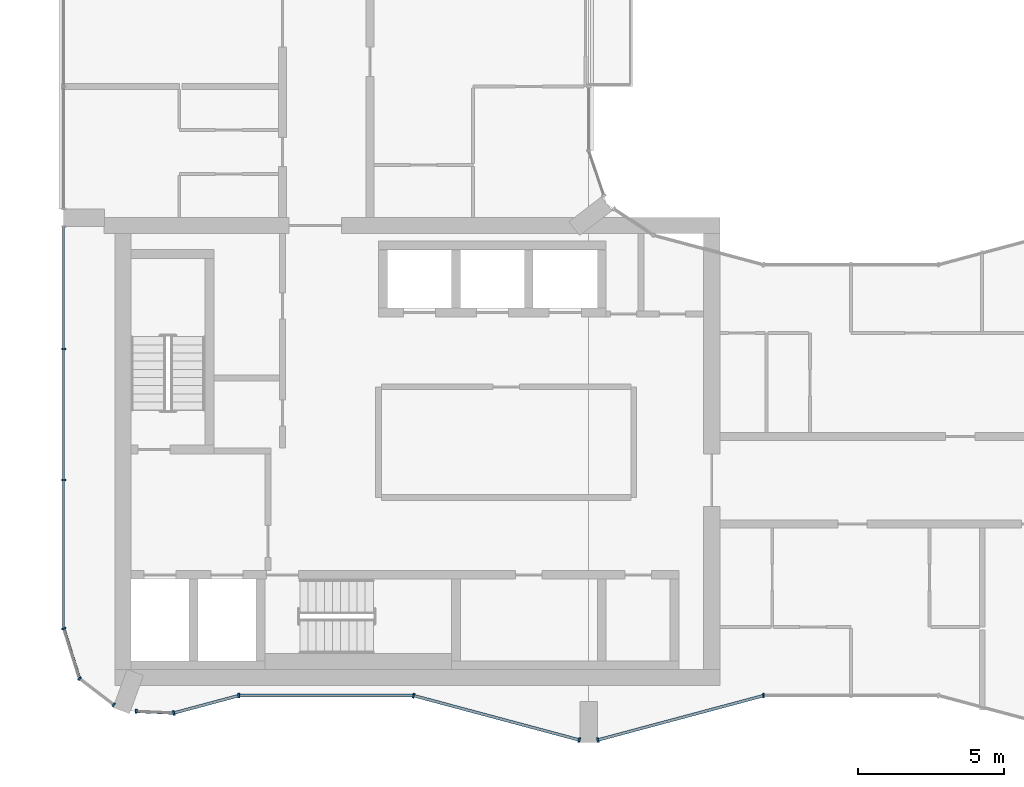
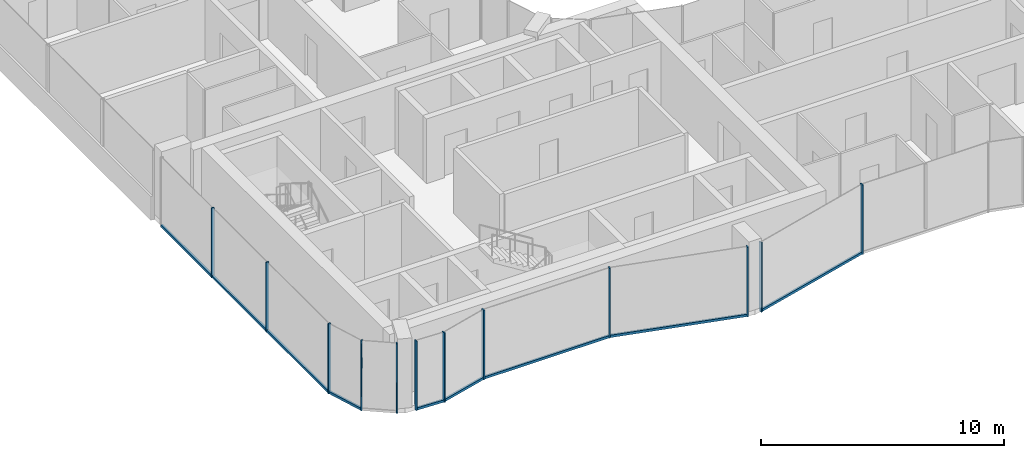
# One storey, part 2 of 15: 19 members, 9 elements without a shape of their own.
"""IFC4 building model written with IfcOpenShell, lengths in metres."""

from ifc_helpers import new_model, si_unit, direction, frame, origin, origin_2d, place, context, subcontext, project, spatial, rectangle, extrude, material, layer, layer_set, material_profile, profile_set, type_object, element, aggregate, save


model = new_model("IFC4")

# Units and contexts
model_context = context("Model", 3, precision=1e-05, world=origin(), true_north=direction((0.0, 1.0)))
body_context = subcontext(model_context, "Body", "Model", "MODEL_VIEW")
ifc_project = project(units=[si_unit("LENGTHUNIT", "METRE"), si_unit("AREAUNIT", "SQUARE_METRE"), si_unit("VOLUMEUNIT", "CUBIC_METRE"), si_unit("PLANEANGLEUNIT", "RADIAN"), si_unit("MASSUNIT", "GRAM", prefix="KILO")], contexts=[model_context])

# Site, building, storey
site_placement = place(None, origin())
site = spatial("IfcSite", under=ifc_project, at=site_placement, CompositionType="ELEMENT")
building_placement = place(site_placement, origin())
building = spatial("IfcBuilding", under=site, at=building_placement, Name="Plateau Cross Towers", CompositionType="ELEMENT")
storey_placement = place(building_placement, frame((0.0, 0.0, 208.39990234375)))
storey = spatial("IfcBuildingStorey", under=building, at=storey_placement, Name="L54", CompositionType="ELEMENT", Elevation=208.39990234375)

# Curtain wall, members
ifc_material_1 = material(Name="Dark low-iron glass", Category="glass")
ifc_layer_1 = layer(ifc_material_1, 0.239990234375)
ifc_layer_set_1 = layer_set([ifc_layer_1], Name="Dark low-iron glass")
curtain_wall_type_1 = type_object("IfcCurtainWallType", Name="Curtain wall flush unitised CW-B", PredefinedType="NOTDEFINED", material=ifc_layer_set_1)
curtain_wall_1_placement = place(storey_placement, origin())
curtain_wall_1 = element("IfcCurtainWall", 1, at=curtain_wall_1_placement, inside=storey, type_object=curtain_wall_type_1, Name="ENV/A/L54/A0_177", PredefinedType="NOTDEFINED")
ifc_material_2 = material(Name="Black anodised aluminium", Category="aluminium")
ifc_material_profile_1 = material_profile(ifc_material_2, rectangle(XDim=0.06005859375, YDim=0.139892578125, at=origin_2d()), Name="MULLION 60x140")
ifc_profile_set_1 = profile_set([ifc_material_profile_1], Name="Black anodised aluminium")
member_type_1 = type_object("IfcMemberType", Name="Mullion 60x140 flush unitised", PredefinedType="MULLION", material=ifc_profile_set_1)
member_1_placement = place(storey_placement, frame((0.0, 13.5, -0.25), z_axis=(0.0, 0.0, 1.0), x_axis=(0.0, -1.0, 0.0)))
member_1 = element("IfcMember", 2, at=member_1_placement, type_object=member_type_1, Name="CW-B mullion 2", PredefinedType="MULLION", context=body_context, shape_type="SweptSolid", body=[
    extrude(rectangle(XDim=0.06005859375, YDim=0.139892578125, at=origin_2d()), origin(), (0.0, 0.0, 1.0), 3.5),
])
member_2_placement = place(storey_placement, frame((0.0, 9.0, -0.25), z_axis=(0.0, 0.0, 1.0), x_axis=(0.0, -1.0, 0.0)))
member_2 = element("IfcMember", 3, at=member_2_placement, type_object=member_type_1, Name="CW-B mullion 3", PredefinedType="MULLION", context=body_context, shape_type="SweptSolid", body=[
    extrude(rectangle(XDim=0.06005859375, YDim=0.139892578125, at=origin_2d()), origin(), (0.0, 0.0, 1.0), 3.5),
])

# Curtain wall, member
curtain_wall_2_placement = place(storey_placement, origin())
curtain_wall_2 = element("IfcCurtainWall", 4, at=curtain_wall_2_placement, inside=storey, type_object=curtain_wall_type_1, Name="ENV/A/L54/A0_39", PredefinedType="NOTDEFINED")
member_3_placement = place(storey_placement, frame((0.0, 3.9091796875, -0.25), z_axis=(0.0, 0.0, 1.0), x_axis=(0.300686174994, -0.95372313811, 0.0)))
member_3 = element("IfcMember", 5, at=member_3_placement, type_object=member_type_1, Name="CW-B mullion 1", PredefinedType="MULLION", context=body_context, shape_type="SweptSolid", body=[
    extrude(rectangle(XDim=0.06005859375, YDim=0.139892578125, at=origin_2d()), origin(), (0.0, 0.0, 1.0), 3.5),
])

# Curtain wall, members
curtain_wall_3_placement = place(storey_placement, origin())
curtain_wall_3 = element("IfcCurtainWall", 6, at=curtain_wall_3_placement, inside=storey, type_object=curtain_wall_type_1, Name="ENV/A/L54/A5_22", PredefinedType="NOTDEFINED")
member_4_placement = place(storey_placement, frame((0.54248046875, 2.1884765625, -0.25), z_axis=(0.0, 0.0, 1.0), x_axis=(0.793315514529, -0.608810721331, 0.0)))
member_4 = element("IfcMember", 7, at=member_4_placement, type_object=member_type_1, Name="CW-B mullion 1", PredefinedType="MULLION", context=body_context, shape_type="SweptSolid", body=[
    extrude(rectangle(XDim=0.06005859375, YDim=0.139892578125, at=origin_2d()), origin(), (0.0, 0.0, 1.0), 3.5),
])
member_5_placement = place(storey_placement, frame((1.709716796875, 1.292724609375, -0.25), z_axis=(0.0, 0.0, 1.0), x_axis=(0.793315514529, -0.608810721331, 0.0)))
member_5 = element("IfcMember", 8, at=member_5_placement, type_object=member_type_1, Name="CW-B mullion 2", PredefinedType="MULLION", context=body_context, shape_type="SweptSolid", body=[
    extrude(rectangle(XDim=0.06005859375, YDim=0.139892578125, at=origin_2d()), origin(), (0.0, 0.0, 1.0), 3.5),
])
aggregate(curtain_wall_3, [member_4, member_5])

# Curtain wall, member
curtain_wall_4_placement = place(storey_placement, origin())
curtain_wall_4 = element("IfcCurtainWall", 9, at=curtain_wall_4_placement, inside=storey, type_object=curtain_wall_type_1, Name="ENV/A/L54/A25_11", PredefinedType="NOTDEFINED")
member_6_placement = place(storey_placement, frame((2.483642578125, 1.06787109375, -0.25), z_axis=(0.0, 0.0, 1.0), x_axis=(0.999043701491, -0.043722791671, 0.0)))
member_6 = element("IfcMember", 10, at=member_6_placement, type_object=member_type_1, Name="CW-B mullion 1", PredefinedType="MULLION", context=body_context, shape_type="SweptSolid", body=[
    extrude(rectangle(XDim=0.06005859375, YDim=0.139892578125, at=origin_2d()), origin(), (0.0, 0.0, 1.0), 3.5),
])

ifc_layer_2 = layer(ifc_material_1, 0.260009765625)
ifc_layer_set_2 = layer_set([ifc_layer_2], Name="Dark low-iron glass")
curtain_wall_type_2 = type_object("IfcCurtainWallType", Name="Curtain wall fluted unitised CW-A", PredefinedType="NOTDEFINED", material=ifc_layer_set_2)
curtain_wall_5_placement = place(storey_placement, origin())
curtain_wall_5 = element("IfcCurtainWall", 11, at=curtain_wall_5_placement, inside=storey, type_object=curtain_wall_type_2, Name="ENV/A/L54/A38_10", PredefinedType="NOTDEFINED")
ifc_material_profile_2 = material_profile(ifc_material_2, rectangle(XDim=0.06005859375, YDim=0.159912109375, at=origin_2d()), Name="MULLION 60x160")
ifc_profile_set_2 = profile_set([ifc_material_profile_2], Name="Black anodised aluminium")
member_type_2 = type_object("IfcMemberType", Name="Mullion 60x160 fluted unitised", PredefinedType="MULLION", material=ifc_profile_set_2)
member_7_placement = place(storey_placement, frame((3.776123046875, 1.01123046875, -0.25), z_axis=(0.0, 0.0, 1.0), x_axis=(0.965957962328, 0.258699081978, 0.0)))
member_7 = element("IfcMember", 12, at=member_7_placement, type_object=member_type_2, Name="CW-A mullion 1", PredefinedType="MULLION", context=body_context, shape_type="SweptSolid", body=[
    extrude(rectangle(XDim=0.06005859375, YDim=0.159912109375, at=origin_2d()), origin(), (0.0, 0.0, 1.0), 3.5),
])

curtain_wall_6_placement = place(storey_placement, origin())
curtain_wall_6 = element("IfcCurtainWall", 13, at=curtain_wall_6_placement, inside=storey, type_object=curtain_wall_type_2, Name="ENV/A/L54/A60_16", PredefinedType="NOTDEFINED")
member_8_placement = place(storey_placement, frame((6.0, 1.60693359375, -0.25), z_axis=(0.0, 0.0, 1.0), x_axis=(1.0, 0.0, 0.0)))
member_8 = element("IfcMember", 14, at=member_8_placement, type_object=member_type_2, Name="CW-A mullion 1", PredefinedType="MULLION", context=body_context, shape_type="SweptSolid", body=[
    extrude(rectangle(XDim=0.06005859375, YDim=0.159912109375, at=origin_2d()), origin(), (0.0, 0.0, 1.0), 3.5),
])

# Curtain wall, members
curtain_wall_7_placement = place(storey_placement, origin())
curtain_wall_7 = element("IfcCurtainWall", 15, at=curtain_wall_7_placement, inside=storey, type_object=curtain_wall_type_2, Name="ENV/A/L54/A120_16", PredefinedType="NOTDEFINED")
member_9_placement = place(storey_placement, frame((12.0, 1.60693359375, -0.25), z_axis=(0.0, 0.0, 1.0), x_axis=(0.965957983404, -0.258699003279, 0.0)))
member_9 = element("IfcMember", 16, at=member_9_placement, type_object=member_type_2, Name="CW-A mullion 1", PredefinedType="MULLION", context=body_context, shape_type="SweptSolid", body=[
    extrude(rectangle(XDim=0.06005859375, YDim=0.159912109375, at=origin_2d()), origin(), (0.0, 0.0, 1.0), 3.5),
])
member_10_placement = place(storey_placement, frame((17.68212890625, 0.085205078125, -0.25), z_axis=(0.0, 0.0, 1.0), x_axis=(0.965957983404, -0.258699003279, 0.0)))
member_10 = element("IfcMember", 17, at=member_10_placement, type_object=member_type_2, Name="CW-A mullion 2", PredefinedType="MULLION", context=body_context, shape_type="SweptSolid", body=[
    extrude(rectangle(XDim=0.06005859375, YDim=0.159912109375, at=origin_2d()), origin(), (0.0, 0.0, 1.0), 3.5),
])

# Curtain wall, member
curtain_wall_8_placement = place(storey_placement, origin())
curtain_wall_8 = element("IfcCurtainWall", 18, at=curtain_wall_8_placement, inside=storey, type_object=curtain_wall_type_2, Name="ENV/A/L54/A183_1", PredefinedType="NOTDEFINED")
member_11_placement = place(storey_placement, frame((18.31787109375, 0.085205078125, -0.25), z_axis=(0.0, 0.0, 1.0), x_axis=(0.965957983404, 0.258699003279, 0.0)))
member_11 = element("IfcMember", 19, at=member_11_placement, type_object=member_type_2, Name="CW-A mullion 1", PredefinedType="MULLION", context=body_context, shape_type="SweptSolid", body=[
    extrude(rectangle(XDim=0.06005859375, YDim=0.159912109375, at=origin_2d()), origin(), (0.0, 0.0, 1.0), 3.5),
])

curtain_wall_9_placement = place(storey_placement, origin())
curtain_wall_9 = element("IfcCurtainWall", 20, at=curtain_wall_9_placement, inside=storey, type_object=curtain_wall_type_2, Name="ENV/A/L54/A240_16", PredefinedType="NOTDEFINED")
member_12_placement = place(storey_placement, frame((24.0, 1.60693359375, -0.25), z_axis=(0.0, 0.0, 1.0), x_axis=(1.0, 0.0, 0.0)))
member_12 = element("IfcMember", 21, at=member_12_placement, type_object=member_type_2, Name="CW-A mullion 1", PredefinedType="MULLION", context=body_context, shape_type="SweptSolid", body=[
    extrude(rectangle(XDim=0.06005859375, YDim=0.159912109375, at=origin_2d()), origin(), (0.0, 0.0, 1.0), 3.5),
])
aggregate(curtain_wall_9, [member_12])

# Member
ifc_material_profile_3 = material_profile(ifc_material_2, rectangle(XDim=0.10009765625, YDim=0.1201171875, at=origin_2d()), Name="TRANSOM 100x120")
ifc_profile_set_3 = profile_set([ifc_material_profile_3], Name="Black anodised aluminium")
member_type_3 = type_object("IfcMemberType", Name="Transom 100x120 flush unitised", PredefinedType="USERDEFINED", material=ifc_profile_set_3)
member_13_placement = place(storey_placement, frame((0.0, 17.699951171875, -0.18994140625), z_axis=(0.0, -1.0, 0.0), x_axis=(1.0, 0.0, 0.0)))
member_13 = element("IfcMember", 22, at=member_13_placement, type_object=member_type_3, Name="CW-B transom", ObjectType="TRANSOM", PredefinedType="USERDEFINED", context=body_context, shape_type="SweptSolid", body=[
    extrude(rectangle(XDim=0.10009765625, YDim=0.1201171875, at=origin_2d()), origin(), (0.0, 0.0, 1.0), 13.790771484375),
])

aggregate(curtain_wall_1, [member_1, member_2, member_13])

member_14_placement = place(storey_placement, frame((0.0, 3.9091796875, -0.18994140625), z_axis=(0.30067799945, -0.953725715626, 0.0), x_axis=(0.953725715626, 0.30067799945, 0.0)))
member_14 = element("IfcMember", 23, at=member_14_placement, type_object=member_type_3, Name="CW-B transom", ObjectType="TRANSOM", PredefinedType="USERDEFINED", context=body_context, shape_type="SweptSolid", body=[
    extrude(rectangle(XDim=0.10009765625, YDim=0.1201171875, at=origin_2d()), origin(), (0.0, 0.0, 1.0), 1.80419921875),
])

aggregate(curtain_wall_2, [member_3, member_14])

member_15_placement = place(storey_placement, frame((2.483642578125, 1.06787109375, -0.18994140625), z_axis=(0.999041144614, -0.043781175963, 0.0), x_axis=(0.043781175963, 0.999041144614, 0.0)))
member_15 = element("IfcMember", 24, at=member_15_placement, type_object=member_type_3, Name="CW-B transom", ObjectType="TRANSOM", PredefinedType="USERDEFINED", context=body_context, shape_type="SweptSolid", body=[
    extrude(rectangle(XDim=0.10009765625, YDim=0.1201171875, at=origin_2d()), origin(), (0.0, 0.0, 1.0), 1.293701171875),
])

aggregate(curtain_wall_4, [member_6, member_15])

ifc_material_profile_4 = material_profile(ifc_material_2, rectangle(XDim=0.10009765625, YDim=0.1201171875, at=origin_2d()), Name="TRANSOM 100x120")
ifc_profile_set_4 = profile_set([ifc_material_profile_4], Name="Black anodised aluminium")
member_type_4 = type_object("IfcMemberType", Name="Transom 100x120 fluted unitised", PredefinedType="USERDEFINED", material=ifc_profile_set_4)
member_16_placement = place(storey_placement, frame((3.776123046875, 1.01123046875, -0.18994140625), z_axis=(0.965945685136, 0.258744919501, 0.0), x_axis=(-0.258744919501, 0.965945685136, 0.0)))
member_16 = element("IfcMember", 25, at=member_16_placement, type_object=member_type_4, Name="CW-A transom", ObjectType="TRANSOM", PredefinedType="USERDEFINED", context=body_context, shape_type="SweptSolid", body=[
    extrude(rectangle(XDim=0.10009765625, YDim=0.1201171875, at=origin_2d()), origin(), (0.0, 0.0, 1.0), 2.30224609375),
])

aggregate(curtain_wall_5, [member_7, member_16])

member_17_placement = place(storey_placement, frame((6.0, 1.60693359375, -0.18994140625), z_axis=(1.0, 0.0, 0.0), x_axis=(0.0, 1.0, 0.0)))
member_17 = element("IfcMember", 26, at=member_17_placement, type_object=member_type_4, Name="CW-A transom", ObjectType="TRANSOM", PredefinedType="USERDEFINED", context=body_context, shape_type="SweptSolid", body=[
    extrude(rectangle(XDim=0.10009765625, YDim=0.1201171875, at=origin_2d()), origin(), (0.0, 0.0, 1.0), 6.0),
])

aggregate(curtain_wall_6, [member_8, member_17])

member_18_placement = place(storey_placement, frame((12.0, 1.60693359375, -0.18994140625), z_axis=(0.965959534794, -0.258693210465, 0.0), x_axis=(0.258693210465, 0.965959534794, 0.0)))
member_18 = element("IfcMember", 27, at=member_18_placement, type_object=member_type_4, Name="CW-A transom", ObjectType="TRANSOM", PredefinedType="USERDEFINED", context=body_context, shape_type="SweptSolid", body=[
    extrude(rectangle(XDim=0.10009765625, YDim=0.1201171875, at=origin_2d()), origin(), (0.0, 0.0, 1.0), 5.88232421875),
])

aggregate(curtain_wall_7, [member_9, member_10, member_18])

member_19_placement = place(storey_placement, frame((18.31787109375, 0.085205078125, -0.18994140625), z_axis=(0.965959534794, 0.258693210465, 0.0), x_axis=(-0.258693210465, 0.965959534794, 0.0)))
member_19 = element("IfcMember", 28, at=member_19_placement, type_object=member_type_4, Name="CW-A transom", ObjectType="TRANSOM", PredefinedType="USERDEFINED", context=body_context, shape_type="SweptSolid", body=[
    extrude(rectangle(XDim=0.10009765625, YDim=0.1201171875, at=origin_2d()), origin(), (0.0, 0.0, 1.0), 5.88232421875),
])

aggregate(curtain_wall_8, [member_11, member_19])

save(model, "model.ifc")
